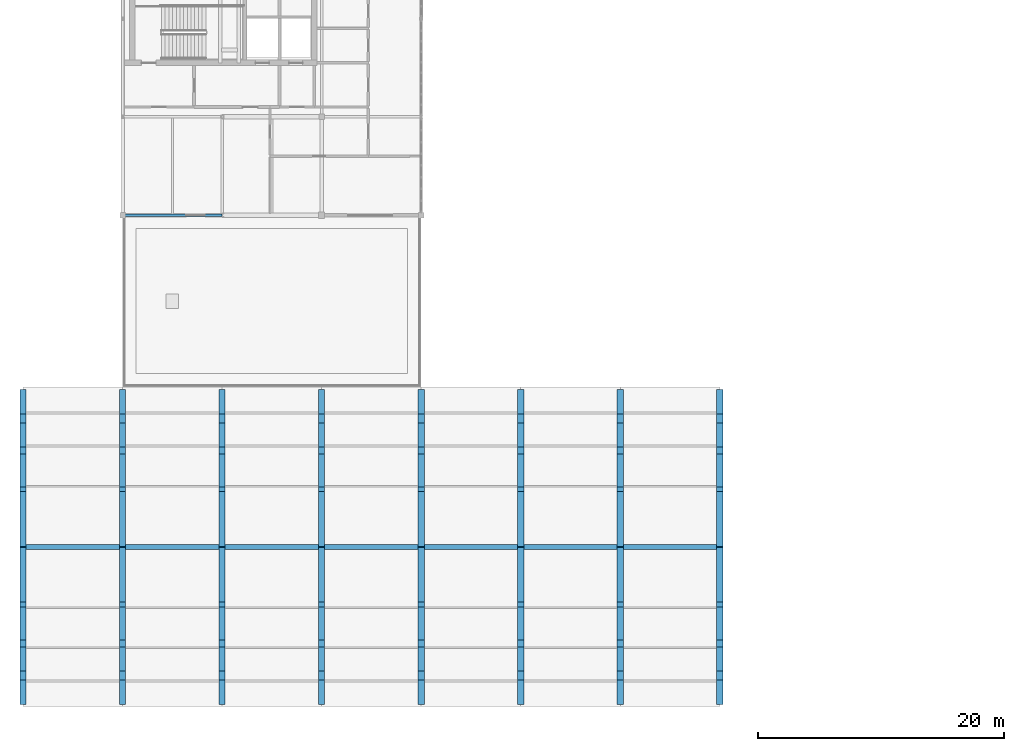
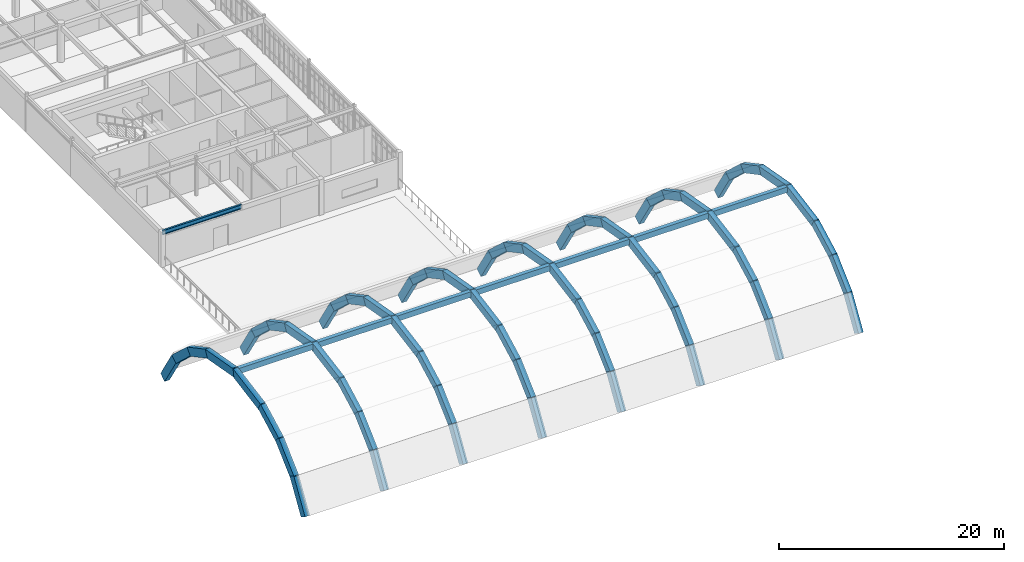
# One storey, part 6 of 36: 72 beams.
"""IFC4 building model written with IfcOpenShell, lengths in metres."""

from ifc_helpers import new_model, si_unit, direction, frame, origin, origin_2d, place, context, subcontext, project, spatial, rectangle, i_section, extrude, material, material_profile, profile_set, type_object, element, save


model = new_model("IFC4")

# Units and contexts
model_context = context("Model", 3, precision=1e-05, world=origin(), true_north=direction((0.0, 1.0)))
body_context = subcontext(model_context, "Body", "Model", "MODEL_VIEW")
ifc_project = project(units=[si_unit("LENGTHUNIT", "METRE"), si_unit("AREAUNIT", "SQUARE_METRE"), si_unit("VOLUMEUNIT", "CUBIC_METRE"), si_unit("PLANEANGLEUNIT", "RADIAN"), si_unit("MASSUNIT", "GRAM", prefix="KILO")], contexts=[model_context])

# Site, building, storey
site_placement = place(None, origin())
site = spatial("IfcSite", under=ifc_project, at=site_placement, CompositionType="ELEMENT")
building_placement = place(site_placement, origin())
building = spatial("IfcBuilding", under=site, at=building_placement, Name="Tarnveldt Square Police Headquarters", CompositionType="ELEMENT")
storey_placement = place(building_placement, frame((0.0, 0.0, 24.89990234375)))
storey = spatial("IfcBuildingStorey", under=building, at=storey_placement, Name="L05", CompositionType="ELEMENT", Elevation=24.89990234375)

# Beams
ifc_material_1 = material(Name="Concrete 40 MPa", Category="concrete")
ifc_material_profile_1 = material_profile(ifc_material_1, rectangle(XDim=0.39990234375, YDim=0.60009765625, at=origin_2d()), Name="RC-B400x600")
ifc_profile_set_1 = profile_set([ifc_material_profile_1], Name="Concrete 40 MPa")
beam_type_1 = type_object("IfcBeamType", Name="BM-RC400x600", PredefinedType="BEAM", material=ifc_profile_set_1)
beam_1_placement = place(storey_placement, frame((8.10009765625, 21.0, 7.830078125), z_axis=(1.0, 0.0, 0.0), x_axis=(0.0, 1.0, 0.0)))
element("IfcBeam", 1, at=beam_1_placement, inside=storey, type_object=beam_type_1, Name="Command and Control Room Barrel Vault Crown Ring Beam 1", PredefinedType="BEAM", context=body_context, shape_type="SweptSolid", body=[
    extrude(rectangle(XDim=0.39990234375, YDim=0.60009765625, at=origin_2d()), origin(), (0.0, 0.0, 1.0), 8.099853515625),
])
beam_2_placement = place(storey_placement, frame((16.199951171875, 21.0, 7.830078125), z_axis=(1.0, 0.0, 0.0), x_axis=(0.0, 1.0, 0.0)))
element("IfcBeam", 2, at=beam_2_placement, inside=storey, type_object=beam_type_1, Name="Command and Control Room Barrel Vault Crown Ring Beam 2", PredefinedType="BEAM", context=body_context, shape_type="SweptSolid", body=[
    extrude(rectangle(XDim=0.39990234375, YDim=0.60009765625, at=origin_2d()), origin(), (0.0, 0.0, 1.0), 8.10009765625),
])
beam_3_placement = place(storey_placement, frame((24.300048828125, 21.0, 7.830078125), z_axis=(1.0, 0.0, 0.0), x_axis=(0.0, 1.0, 0.0)))
element("IfcBeam", 3, at=beam_3_placement, inside=storey, type_object=beam_type_1, Name="Command and Control Room Barrel Vault Crown Ring Beam 3", PredefinedType="BEAM", context=body_context, shape_type="SweptSolid", body=[
    extrude(rectangle(XDim=0.39990234375, YDim=0.60009765625, at=origin_2d()), origin(), (0.0, 0.0, 1.0), 8.099853515625),
])
for number, where, z_axis, x_axis, name in (
    (4, (32.39990234375, 21.0, 7.830078125), (1.0, 0.0, 0.0), (0.0, 1.0, 0.0), "Command and Control Room Barrel Vault Crown Ring Beam 4"),
    (5, (40.5, 21.0, 7.830078125), (1.0, 0.0, 0.0), (0.0, 1.0, 0.0), "Command and Control Room Barrel Vault Crown Ring Beam 5"),
):
    element("IfcBeam", number, at=place(storey_placement, frame(where, z_axis=z_axis, x_axis=x_axis)), inside=storey, type_object=beam_type_1, Name=name, PredefinedType="BEAM", context=body_context, shape_type="SweptSolid", body=[
        extrude(rectangle(XDim=0.39990234375, YDim=0.60009765625, at=origin_2d()), origin(), (0.0, 0.0, 1.0), 8.10009765625),
    ])
beam_4_placement = place(storey_placement, frame((48.60009765625, 21.0, 7.830078125), z_axis=(1.0, 0.0, 0.0), x_axis=(0.0, 1.0, 0.0)))
element("IfcBeam", 6, at=beam_4_placement, inside=storey, type_object=beam_type_1, Name="Command and Control Room Barrel Vault Crown Ring Beam 6", PredefinedType="BEAM", context=body_context, shape_type="SweptSolid", body=[
    extrude(rectangle(XDim=0.39990234375, YDim=0.60009765625, at=origin_2d()), origin(), (0.0, 0.0, 1.0), 8.099853515625),
])
beam_5_placement = place(storey_placement, frame((56.699951171875, 21.0, 7.830078125), z_axis=(1.0, 0.0, 0.0), x_axis=(0.0, 1.0, 0.0)))
element("IfcBeam", 7, at=beam_5_placement, inside=storey, type_object=beam_type_1, Name="Command and Control Room Barrel Vault Crown Ring Beam 7", PredefinedType="BEAM", context=body_context, shape_type="SweptSolid", body=[
    extrude(rectangle(XDim=0.39990234375, YDim=0.60009765625, at=origin_2d()), origin(), (0.0, 0.0, 1.0), 8.10009765625),
])
ifc_material_profile_2 = material_profile(ifc_material_1, rectangle(XDim=0.5, YDim=0.85009765625, at=origin_2d()), Name="RC-RIB500x850")
ifc_profile_set_2 = profile_set([ifc_material_profile_2], Name="Concrete 40 MPa")
beam_type_2 = type_object("IfcBeamType", Name="BM-RIB500x850", PredefinedType="USERDEFINED", material=ifc_profile_set_2)
beam_6_placement = place(storey_placement, frame((8.10009765625, 8.539306640625, -0.335205078125), z_axis=(0.0, 0.528151879882, 0.849149923028), x_axis=(-1.0, 0.0, 0.0)))
element("IfcBeam", 8, at=beam_6_placement, inside=storey, type_object=beam_type_2, Name="Command and Control Room Exposed Arch Rib 1.1", ObjectType="ARCH RIB", PredefinedType="USERDEFINED", context=body_context, shape_type="SweptSolid", body=[
    extrude(rectangle(XDim=0.5, YDim=0.85009765625, at=origin_2d()), origin(), (0.0, 0.0, 1.0), 3.78076171875),
])
beam_7_placement = place(storey_placement, frame((8.10009765625, 10.43017578125, 2.746337890625), z_axis=(0.0, 0.731336551038, 0.682016751345), x_axis=(-1.0, 0.0, 0.0)))
element("IfcBeam", 9, at=beam_7_placement, inside=storey, type_object=beam_type_2, Name="Command and Control Room Exposed Arch Rib 1.2", ObjectType="ARCH RIB", PredefinedType="USERDEFINED", context=body_context, shape_type="SweptSolid", body=[
    extrude(rectangle(XDim=0.5, YDim=0.85009765625, at=origin_2d()), origin(), (0.0, 0.0, 1.0), 3.722412109375),
])
beam_8_placement = place(storey_placement, frame((8.10009765625, 13.017578125, 5.188720703125), z_axis=(0.0, 0.882931392206, 0.469502030514), x_axis=(-1.0, 0.0, 0.0)))
element("IfcBeam", 10, at=beam_8_placement, inside=storey, type_object=beam_type_2, Name="Command and Control Room Exposed Arch Rib 1.3", ObjectType="ARCH RIB", PredefinedType="USERDEFINED", context=body_context, shape_type="SweptSolid", body=[
    extrude(rectangle(XDim=0.5, YDim=0.85009765625, at=origin_2d()), origin(), (0.0, 0.0, 1.0), 3.72265625),
])
for number, where, z_axis, x_axis, name in (
    (11, (8.10009765625, 16.119140625, 6.872314453125), (0.0, 0.98404799655, 0.177903177279), (-1.0, 0.0, 0.0), "Command and Control Room Exposed Arch Rib 1.4"),
    (12, (8.10009765625, 20.886962890625, 7.775146484375), (0.0, 0.98404799655, -0.177903177279), (-1.0, 0.0, 0.0), "Command and Control Room Exposed Arch Rib 1.5"),
):
    element("IfcBeam", number, at=place(storey_placement, frame(where, z_axis=z_axis, x_axis=x_axis)), inside=storey, type_object=beam_type_2, Name=name, ObjectType="ARCH RIB", PredefinedType="USERDEFINED", context=body_context, shape_type="SweptSolid", body=[
        extrude(rectangle(XDim=0.5, YDim=0.85009765625, at=origin_2d()), origin(), (0.0, 0.0, 1.0), 5.074951171875),
    ])
beam_9_placement = place(storey_placement, frame((8.10009765625, 25.695556640625, 6.9365234375), z_axis=(0.0, 0.882931392206, -0.469502030514), x_axis=(-1.0, 0.0, 0.0)))
element("IfcBeam", 13, at=beam_9_placement, inside=storey, type_object=beam_type_2, Name="Command and Control Room Exposed Arch Rib 1.6", ObjectType="ARCH RIB", PredefinedType="USERDEFINED", context=body_context, shape_type="SweptSolid", body=[
    extrude(rectangle(XDim=0.5, YDim=0.85009765625, at=origin_2d()), origin(), (0.0, 0.0, 1.0), 3.72265625),
])
beam_10_placement = place(storey_placement, frame((8.10009765625, 28.847412109375, 5.28515625), z_axis=(0.0, 0.731336551038, -0.682016751345), x_axis=(-1.0, 0.0, 0.0)))
element("IfcBeam", 14, at=beam_10_placement, inside=storey, type_object=beam_type_2, Name="Command and Control Room Exposed Arch Rib 1.7", ObjectType="ARCH RIB", PredefinedType="USERDEFINED", context=body_context, shape_type="SweptSolid", body=[
    extrude(rectangle(XDim=0.5, YDim=0.85009765625, at=origin_2d()), origin(), (0.0, 0.0, 1.0), 3.722412109375),
])
for number, where, z_axis, x_axis, name in (
    (15, (8.10009765625, 31.4638671875, 2.875244140625), (0.0, 0.528151879882, -0.849149923028), (-1.0, 0.0, 0.0), "Command and Control Room Exposed Arch Rib 1.8"),
    (16, (16.199951171875, 8.539306640625, -0.335205078125), (0.0, 0.528151879882, 0.849149923028), (-1.0, 0.0, 0.0), "Command and Control Room Exposed Arch Rib 2.1"),
):
    element("IfcBeam", number, at=place(storey_placement, frame(where, z_axis=z_axis, x_axis=x_axis)), inside=storey, type_object=beam_type_2, Name=name, ObjectType="ARCH RIB", PredefinedType="USERDEFINED", context=body_context, shape_type="SweptSolid", body=[
        extrude(rectangle(XDim=0.5, YDim=0.85009765625, at=origin_2d()), origin(), (0.0, 0.0, 1.0), 3.78076171875),
    ])
beam_11_placement = place(storey_placement, frame((16.199951171875, 10.43017578125, 2.746337890625), z_axis=(0.0, 0.731336551038, 0.682016751345), x_axis=(-1.0, 0.0, 0.0)))
element("IfcBeam", 17, at=beam_11_placement, inside=storey, type_object=beam_type_2, Name="Command and Control Room Exposed Arch Rib 2.2", ObjectType="ARCH RIB", PredefinedType="USERDEFINED", context=body_context, shape_type="SweptSolid", body=[
    extrude(rectangle(XDim=0.5, YDim=0.85009765625, at=origin_2d()), origin(), (0.0, 0.0, 1.0), 3.722412109375),
])
beam_12_placement = place(storey_placement, frame((16.199951171875, 13.017578125, 5.188720703125), z_axis=(0.0, 0.882931392206, 0.469502030514), x_axis=(-1.0, 0.0, 0.0)))
element("IfcBeam", 18, at=beam_12_placement, inside=storey, type_object=beam_type_2, Name="Command and Control Room Exposed Arch Rib 2.3", ObjectType="ARCH RIB", PredefinedType="USERDEFINED", context=body_context, shape_type="SweptSolid", body=[
    extrude(rectangle(XDim=0.5, YDim=0.85009765625, at=origin_2d()), origin(), (0.0, 0.0, 1.0), 3.72265625),
])
for number, where, z_axis, x_axis, name in (
    (19, (16.199951171875, 16.119140625, 6.872314453125), (0.0, 0.98404799655, 0.177903177279), (-1.0, 0.0, 0.0), "Command and Control Room Exposed Arch Rib 2.4"),
    (20, (16.199951171875, 20.886962890625, 7.775146484375), (0.0, 0.98404799655, -0.177903177279), (-1.0, 0.0, 0.0), "Command and Control Room Exposed Arch Rib 2.5"),
):
    element("IfcBeam", number, at=place(storey_placement, frame(where, z_axis=z_axis, x_axis=x_axis)), inside=storey, type_object=beam_type_2, Name=name, ObjectType="ARCH RIB", PredefinedType="USERDEFINED", context=body_context, shape_type="SweptSolid", body=[
        extrude(rectangle(XDim=0.5, YDim=0.85009765625, at=origin_2d()), origin(), (0.0, 0.0, 1.0), 5.074951171875),
    ])
beam_13_placement = place(storey_placement, frame((16.199951171875, 25.695556640625, 6.9365234375), z_axis=(0.0, 0.882931392206, -0.469502030514), x_axis=(-1.0, 0.0, 0.0)))
element("IfcBeam", 21, at=beam_13_placement, inside=storey, type_object=beam_type_2, Name="Command and Control Room Exposed Arch Rib 2.6", ObjectType="ARCH RIB", PredefinedType="USERDEFINED", context=body_context, shape_type="SweptSolid", body=[
    extrude(rectangle(XDim=0.5, YDim=0.85009765625, at=origin_2d()), origin(), (0.0, 0.0, 1.0), 3.72265625),
])
beam_14_placement = place(storey_placement, frame((16.199951171875, 28.847412109375, 5.28515625), z_axis=(0.0, 0.731336551038, -0.682016751345), x_axis=(-1.0, 0.0, 0.0)))
element("IfcBeam", 22, at=beam_14_placement, inside=storey, type_object=beam_type_2, Name="Command and Control Room Exposed Arch Rib 2.7", ObjectType="ARCH RIB", PredefinedType="USERDEFINED", context=body_context, shape_type="SweptSolid", body=[
    extrude(rectangle(XDim=0.5, YDim=0.85009765625, at=origin_2d()), origin(), (0.0, 0.0, 1.0), 3.722412109375),
])
for number, where, z_axis, x_axis, name in (
    (23, (16.199951171875, 31.4638671875, 2.875244140625), (0.0, 0.528151879882, -0.849149923028), (-1.0, 0.0, 0.0), "Command and Control Room Exposed Arch Rib 2.8"),
    (24, (24.300048828125, 8.539306640625, -0.335205078125), (0.0, 0.528151879882, 0.849149923028), (-1.0, 0.0, 0.0), "Command and Control Room Exposed Arch Rib 3.1"),
):
    element("IfcBeam", number, at=place(storey_placement, frame(where, z_axis=z_axis, x_axis=x_axis)), inside=storey, type_object=beam_type_2, Name=name, ObjectType="ARCH RIB", PredefinedType="USERDEFINED", context=body_context, shape_type="SweptSolid", body=[
        extrude(rectangle(XDim=0.5, YDim=0.85009765625, at=origin_2d()), origin(), (0.0, 0.0, 1.0), 3.78076171875),
    ])
beam_15_placement = place(storey_placement, frame((24.300048828125, 10.43017578125, 2.746337890625), z_axis=(0.0, 0.731336551038, 0.682016751345), x_axis=(-1.0, 0.0, 0.0)))
element("IfcBeam", 25, at=beam_15_placement, inside=storey, type_object=beam_type_2, Name="Command and Control Room Exposed Arch Rib 3.2", ObjectType="ARCH RIB", PredefinedType="USERDEFINED", context=body_context, shape_type="SweptSolid", body=[
    extrude(rectangle(XDim=0.5, YDim=0.85009765625, at=origin_2d()), origin(), (0.0, 0.0, 1.0), 3.722412109375),
])
beam_16_placement = place(storey_placement, frame((24.300048828125, 13.017578125, 5.188720703125), z_axis=(0.0, 0.882931392206, 0.469502030514), x_axis=(-1.0, 0.0, 0.0)))
element("IfcBeam", 26, at=beam_16_placement, inside=storey, type_object=beam_type_2, Name="Command and Control Room Exposed Arch Rib 3.3", ObjectType="ARCH RIB", PredefinedType="USERDEFINED", context=body_context, shape_type="SweptSolid", body=[
    extrude(rectangle(XDim=0.5, YDim=0.85009765625, at=origin_2d()), origin(), (0.0, 0.0, 1.0), 3.72265625),
])
for number, where, z_axis, x_axis, name in (
    (27, (24.300048828125, 16.119140625, 6.872314453125), (0.0, 0.98404799655, 0.177903177279), (-1.0, 0.0, 0.0), "Command and Control Room Exposed Arch Rib 3.4"),
    (28, (24.300048828125, 20.886962890625, 7.775146484375), (0.0, 0.98404799655, -0.177903177279), (-1.0, 0.0, 0.0), "Command and Control Room Exposed Arch Rib 3.5"),
):
    element("IfcBeam", number, at=place(storey_placement, frame(where, z_axis=z_axis, x_axis=x_axis)), inside=storey, type_object=beam_type_2, Name=name, ObjectType="ARCH RIB", PredefinedType="USERDEFINED", context=body_context, shape_type="SweptSolid", body=[
        extrude(rectangle(XDim=0.5, YDim=0.85009765625, at=origin_2d()), origin(), (0.0, 0.0, 1.0), 5.074951171875),
    ])
beam_17_placement = place(storey_placement, frame((24.300048828125, 25.695556640625, 6.9365234375), z_axis=(0.0, 0.882931392206, -0.469502030514), x_axis=(-1.0, 0.0, 0.0)))
element("IfcBeam", 29, at=beam_17_placement, inside=storey, type_object=beam_type_2, Name="Command and Control Room Exposed Arch Rib 3.6", ObjectType="ARCH RIB", PredefinedType="USERDEFINED", context=body_context, shape_type="SweptSolid", body=[
    extrude(rectangle(XDim=0.5, YDim=0.85009765625, at=origin_2d()), origin(), (0.0, 0.0, 1.0), 3.72265625),
])
beam_18_placement = place(storey_placement, frame((24.300048828125, 28.847412109375, 5.28515625), z_axis=(0.0, 0.731336551038, -0.682016751345), x_axis=(-1.0, 0.0, 0.0)))
element("IfcBeam", 30, at=beam_18_placement, inside=storey, type_object=beam_type_2, Name="Command and Control Room Exposed Arch Rib 3.7", ObjectType="ARCH RIB", PredefinedType="USERDEFINED", context=body_context, shape_type="SweptSolid", body=[
    extrude(rectangle(XDim=0.5, YDim=0.85009765625, at=origin_2d()), origin(), (0.0, 0.0, 1.0), 3.722412109375),
])
for number, where, z_axis, x_axis, name in (
    (31, (24.300048828125, 31.4638671875, 2.875244140625), (0.0, 0.528151879882, -0.849149923028), (-1.0, 0.0, 0.0), "Command and Control Room Exposed Arch Rib 3.8"),
    (32, (32.39990234375, 8.539306640625, -0.335205078125), (0.0, 0.528151879882, 0.849149923028), (-1.0, 0.0, 0.0), "Command and Control Room Exposed Arch Rib 4.1"),
):
    element("IfcBeam", number, at=place(storey_placement, frame(where, z_axis=z_axis, x_axis=x_axis)), inside=storey, type_object=beam_type_2, Name=name, ObjectType="ARCH RIB", PredefinedType="USERDEFINED", context=body_context, shape_type="SweptSolid", body=[
        extrude(rectangle(XDim=0.5, YDim=0.85009765625, at=origin_2d()), origin(), (0.0, 0.0, 1.0), 3.78076171875),
    ])
beam_19_placement = place(storey_placement, frame((32.39990234375, 10.43017578125, 2.746337890625), z_axis=(0.0, 0.731336551038, 0.682016751345), x_axis=(-1.0, 0.0, 0.0)))
element("IfcBeam", 33, at=beam_19_placement, inside=storey, type_object=beam_type_2, Name="Command and Control Room Exposed Arch Rib 4.2", ObjectType="ARCH RIB", PredefinedType="USERDEFINED", context=body_context, shape_type="SweptSolid", body=[
    extrude(rectangle(XDim=0.5, YDim=0.85009765625, at=origin_2d()), origin(), (0.0, 0.0, 1.0), 3.722412109375),
])
beam_20_placement = place(storey_placement, frame((32.39990234375, 13.017578125, 5.188720703125), z_axis=(0.0, 0.882931392206, 0.469502030514), x_axis=(-1.0, 0.0, 0.0)))
element("IfcBeam", 34, at=beam_20_placement, inside=storey, type_object=beam_type_2, Name="Command and Control Room Exposed Arch Rib 4.3", ObjectType="ARCH RIB", PredefinedType="USERDEFINED", context=body_context, shape_type="SweptSolid", body=[
    extrude(rectangle(XDim=0.5, YDim=0.85009765625, at=origin_2d()), origin(), (0.0, 0.0, 1.0), 3.72265625),
])
for number, where, z_axis, x_axis, name in (
    (35, (32.39990234375, 16.119140625, 6.872314453125), (0.0, 0.98404799655, 0.177903177279), (-1.0, 0.0, 0.0), "Command and Control Room Exposed Arch Rib 4.4"),
    (36, (32.39990234375, 20.886962890625, 7.775146484375), (0.0, 0.98404799655, -0.177903177279), (-1.0, 0.0, 0.0), "Command and Control Room Exposed Arch Rib 4.5"),
):
    element("IfcBeam", number, at=place(storey_placement, frame(where, z_axis=z_axis, x_axis=x_axis)), inside=storey, type_object=beam_type_2, Name=name, ObjectType="ARCH RIB", PredefinedType="USERDEFINED", context=body_context, shape_type="SweptSolid", body=[
        extrude(rectangle(XDim=0.5, YDim=0.85009765625, at=origin_2d()), origin(), (0.0, 0.0, 1.0), 5.074951171875),
    ])
beam_21_placement = place(storey_placement, frame((32.39990234375, 25.695556640625, 6.9365234375), z_axis=(0.0, 0.882931392206, -0.469502030514), x_axis=(-1.0, 0.0, 0.0)))
element("IfcBeam", 37, at=beam_21_placement, inside=storey, type_object=beam_type_2, Name="Command and Control Room Exposed Arch Rib 4.6", ObjectType="ARCH RIB", PredefinedType="USERDEFINED", context=body_context, shape_type="SweptSolid", body=[
    extrude(rectangle(XDim=0.5, YDim=0.85009765625, at=origin_2d()), origin(), (0.0, 0.0, 1.0), 3.72265625),
])
beam_22_placement = place(storey_placement, frame((32.39990234375, 28.847412109375, 5.28515625), z_axis=(0.0, 0.731336551038, -0.682016751345), x_axis=(-1.0, 0.0, 0.0)))
element("IfcBeam", 38, at=beam_22_placement, inside=storey, type_object=beam_type_2, Name="Command and Control Room Exposed Arch Rib 4.7", ObjectType="ARCH RIB", PredefinedType="USERDEFINED", context=body_context, shape_type="SweptSolid", body=[
    extrude(rectangle(XDim=0.5, YDim=0.85009765625, at=origin_2d()), origin(), (0.0, 0.0, 1.0), 3.722412109375),
])
for number, where, z_axis, x_axis, name in (
    (39, (32.39990234375, 31.4638671875, 2.875244140625), (0.0, 0.528151879882, -0.849149923028), (-1.0, 0.0, 0.0), "Command and Control Room Exposed Arch Rib 4.8"),
    (40, (40.5, 8.539306640625, -0.335205078125), (0.0, 0.528151879882, 0.849149923028), (-1.0, 0.0, 0.0), "Command and Control Room Exposed Arch Rib 5.1"),
):
    element("IfcBeam", number, at=place(storey_placement, frame(where, z_axis=z_axis, x_axis=x_axis)), inside=storey, type_object=beam_type_2, Name=name, ObjectType="ARCH RIB", PredefinedType="USERDEFINED", context=body_context, shape_type="SweptSolid", body=[
        extrude(rectangle(XDim=0.5, YDim=0.85009765625, at=origin_2d()), origin(), (0.0, 0.0, 1.0), 3.78076171875),
    ])
beam_23_placement = place(storey_placement, frame((40.5, 10.43017578125, 2.746337890625), z_axis=(0.0, 0.731336551038, 0.682016751345), x_axis=(-1.0, 0.0, 0.0)))
element("IfcBeam", 41, at=beam_23_placement, inside=storey, type_object=beam_type_2, Name="Command and Control Room Exposed Arch Rib 5.2", ObjectType="ARCH RIB", PredefinedType="USERDEFINED", context=body_context, shape_type="SweptSolid", body=[
    extrude(rectangle(XDim=0.5, YDim=0.85009765625, at=origin_2d()), origin(), (0.0, 0.0, 1.0), 3.722412109375),
])
beam_24_placement = place(storey_placement, frame((40.5, 13.017578125, 5.188720703125), z_axis=(0.0, 0.882931392206, 0.469502030514), x_axis=(-1.0, 0.0, 0.0)))
element("IfcBeam", 42, at=beam_24_placement, inside=storey, type_object=beam_type_2, Name="Command and Control Room Exposed Arch Rib 5.3", ObjectType="ARCH RIB", PredefinedType="USERDEFINED", context=body_context, shape_type="SweptSolid", body=[
    extrude(rectangle(XDim=0.5, YDim=0.85009765625, at=origin_2d()), origin(), (0.0, 0.0, 1.0), 3.72265625),
])
for number, where, z_axis, x_axis, name in (
    (43, (40.5, 16.119140625, 6.872314453125), (0.0, 0.98404799655, 0.177903177279), (-1.0, 0.0, 0.0), "Command and Control Room Exposed Arch Rib 5.4"),
    (44, (40.5, 20.886962890625, 7.775146484375), (0.0, 0.98404799655, -0.177903177279), (-1.0, 0.0, 0.0), "Command and Control Room Exposed Arch Rib 5.5"),
):
    element("IfcBeam", number, at=place(storey_placement, frame(where, z_axis=z_axis, x_axis=x_axis)), inside=storey, type_object=beam_type_2, Name=name, ObjectType="ARCH RIB", PredefinedType="USERDEFINED", context=body_context, shape_type="SweptSolid", body=[
        extrude(rectangle(XDim=0.5, YDim=0.85009765625, at=origin_2d()), origin(), (0.0, 0.0, 1.0), 5.074951171875),
    ])
beam_25_placement = place(storey_placement, frame((40.5, 25.695556640625, 6.9365234375), z_axis=(0.0, 0.882931392206, -0.469502030514), x_axis=(-1.0, 0.0, 0.0)))
element("IfcBeam", 45, at=beam_25_placement, inside=storey, type_object=beam_type_2, Name="Command and Control Room Exposed Arch Rib 5.6", ObjectType="ARCH RIB", PredefinedType="USERDEFINED", context=body_context, shape_type="SweptSolid", body=[
    extrude(rectangle(XDim=0.5, YDim=0.85009765625, at=origin_2d()), origin(), (0.0, 0.0, 1.0), 3.72265625),
])
beam_26_placement = place(storey_placement, frame((40.5, 28.847412109375, 5.28515625), z_axis=(0.0, 0.731336551038, -0.682016751345), x_axis=(-1.0, 0.0, 0.0)))
element("IfcBeam", 46, at=beam_26_placement, inside=storey, type_object=beam_type_2, Name="Command and Control Room Exposed Arch Rib 5.7", ObjectType="ARCH RIB", PredefinedType="USERDEFINED", context=body_context, shape_type="SweptSolid", body=[
    extrude(rectangle(XDim=0.5, YDim=0.85009765625, at=origin_2d()), origin(), (0.0, 0.0, 1.0), 3.722412109375),
])
for number, where, z_axis, x_axis, name in (
    (47, (40.5, 31.4638671875, 2.875244140625), (0.0, 0.528151879882, -0.849149923028), (-1.0, 0.0, 0.0), "Command and Control Room Exposed Arch Rib 5.8"),
    (48, (48.60009765625, 8.539306640625, -0.335205078125), (0.0, 0.528151879882, 0.849149923028), (-1.0, 0.0, 0.0), "Command and Control Room Exposed Arch Rib 6.1"),
):
    element("IfcBeam", number, at=place(storey_placement, frame(where, z_axis=z_axis, x_axis=x_axis)), inside=storey, type_object=beam_type_2, Name=name, ObjectType="ARCH RIB", PredefinedType="USERDEFINED", context=body_context, shape_type="SweptSolid", body=[
        extrude(rectangle(XDim=0.5, YDim=0.85009765625, at=origin_2d()), origin(), (0.0, 0.0, 1.0), 3.78076171875),
    ])
beam_27_placement = place(storey_placement, frame((48.60009765625, 10.43017578125, 2.746337890625), z_axis=(0.0, 0.731336551038, 0.682016751345), x_axis=(-1.0, 0.0, 0.0)))
element("IfcBeam", 49, at=beam_27_placement, inside=storey, type_object=beam_type_2, Name="Command and Control Room Exposed Arch Rib 6.2", ObjectType="ARCH RIB", PredefinedType="USERDEFINED", context=body_context, shape_type="SweptSolid", body=[
    extrude(rectangle(XDim=0.5, YDim=0.85009765625, at=origin_2d()), origin(), (0.0, 0.0, 1.0), 3.722412109375),
])
beam_28_placement = place(storey_placement, frame((48.60009765625, 13.017578125, 5.188720703125), z_axis=(0.0, 0.882931392206, 0.469502030514), x_axis=(-1.0, 0.0, 0.0)))
element("IfcBeam", 50, at=beam_28_placement, inside=storey, type_object=beam_type_2, Name="Command and Control Room Exposed Arch Rib 6.3", ObjectType="ARCH RIB", PredefinedType="USERDEFINED", context=body_context, shape_type="SweptSolid", body=[
    extrude(rectangle(XDim=0.5, YDim=0.85009765625, at=origin_2d()), origin(), (0.0, 0.0, 1.0), 3.72265625),
])
for number, where, z_axis, x_axis, name in (
    (51, (48.60009765625, 16.119140625, 6.872314453125), (0.0, 0.98404799655, 0.177903177279), (-1.0, 0.0, 0.0), "Command and Control Room Exposed Arch Rib 6.4"),
    (52, (48.60009765625, 20.886962890625, 7.775146484375), (0.0, 0.98404799655, -0.177903177279), (-1.0, 0.0, 0.0), "Command and Control Room Exposed Arch Rib 6.5"),
):
    element("IfcBeam", number, at=place(storey_placement, frame(where, z_axis=z_axis, x_axis=x_axis)), inside=storey, type_object=beam_type_2, Name=name, ObjectType="ARCH RIB", PredefinedType="USERDEFINED", context=body_context, shape_type="SweptSolid", body=[
        extrude(rectangle(XDim=0.5, YDim=0.85009765625, at=origin_2d()), origin(), (0.0, 0.0, 1.0), 5.074951171875),
    ])
beam_29_placement = place(storey_placement, frame((48.60009765625, 25.695556640625, 6.9365234375), z_axis=(0.0, 0.882931392206, -0.469502030514), x_axis=(-1.0, 0.0, 0.0)))
element("IfcBeam", 53, at=beam_29_placement, inside=storey, type_object=beam_type_2, Name="Command and Control Room Exposed Arch Rib 6.6", ObjectType="ARCH RIB", PredefinedType="USERDEFINED", context=body_context, shape_type="SweptSolid", body=[
    extrude(rectangle(XDim=0.5, YDim=0.85009765625, at=origin_2d()), origin(), (0.0, 0.0, 1.0), 3.72265625),
])
beam_30_placement = place(storey_placement, frame((48.60009765625, 28.847412109375, 5.28515625), z_axis=(0.0, 0.731336551038, -0.682016751345), x_axis=(-1.0, 0.0, 0.0)))
element("IfcBeam", 54, at=beam_30_placement, inside=storey, type_object=beam_type_2, Name="Command and Control Room Exposed Arch Rib 6.7", ObjectType="ARCH RIB", PredefinedType="USERDEFINED", context=body_context, shape_type="SweptSolid", body=[
    extrude(rectangle(XDim=0.5, YDim=0.85009765625, at=origin_2d()), origin(), (0.0, 0.0, 1.0), 3.722412109375),
])
for number, where, z_axis, x_axis, name in (
    (55, (48.60009765625, 31.4638671875, 2.875244140625), (0.0, 0.528151879882, -0.849149923028), (-1.0, 0.0, 0.0), "Command and Control Room Exposed Arch Rib 6.8"),
    (56, (56.699951171875, 8.539306640625, -0.335205078125), (0.0, 0.528151879882, 0.849149923028), (-1.0, 0.0, 0.0), "Command and Control Room Exposed Arch Rib 7.1"),
):
    element("IfcBeam", number, at=place(storey_placement, frame(where, z_axis=z_axis, x_axis=x_axis)), inside=storey, type_object=beam_type_2, Name=name, ObjectType="ARCH RIB", PredefinedType="USERDEFINED", context=body_context, shape_type="SweptSolid", body=[
        extrude(rectangle(XDim=0.5, YDim=0.85009765625, at=origin_2d()), origin(), (0.0, 0.0, 1.0), 3.78076171875),
    ])
beam_31_placement = place(storey_placement, frame((56.699951171875, 10.43017578125, 2.746337890625), z_axis=(0.0, 0.731336551038, 0.682016751345), x_axis=(-1.0, 0.0, 0.0)))
element("IfcBeam", 57, at=beam_31_placement, inside=storey, type_object=beam_type_2, Name="Command and Control Room Exposed Arch Rib 7.2", ObjectType="ARCH RIB", PredefinedType="USERDEFINED", context=body_context, shape_type="SweptSolid", body=[
    extrude(rectangle(XDim=0.5, YDim=0.85009765625, at=origin_2d()), origin(), (0.0, 0.0, 1.0), 3.722412109375),
])
beam_32_placement = place(storey_placement, frame((56.699951171875, 13.017578125, 5.188720703125), z_axis=(0.0, 0.882931392206, 0.469502030514), x_axis=(-1.0, 0.0, 0.0)))
element("IfcBeam", 58, at=beam_32_placement, inside=storey, type_object=beam_type_2, Name="Command and Control Room Exposed Arch Rib 7.3", ObjectType="ARCH RIB", PredefinedType="USERDEFINED", context=body_context, shape_type="SweptSolid", body=[
    extrude(rectangle(XDim=0.5, YDim=0.85009765625, at=origin_2d()), origin(), (0.0, 0.0, 1.0), 3.72265625),
])
for number, where, z_axis, x_axis, name in (
    (59, (56.699951171875, 16.119140625, 6.872314453125), (0.0, 0.98404799655, 0.177903177279), (-1.0, 0.0, 0.0), "Command and Control Room Exposed Arch Rib 7.4"),
    (60, (56.699951171875, 20.886962890625, 7.775146484375), (0.0, 0.98404799655, -0.177903177279), (-1.0, 0.0, 0.0), "Command and Control Room Exposed Arch Rib 7.5"),
):
    element("IfcBeam", number, at=place(storey_placement, frame(where, z_axis=z_axis, x_axis=x_axis)), inside=storey, type_object=beam_type_2, Name=name, ObjectType="ARCH RIB", PredefinedType="USERDEFINED", context=body_context, shape_type="SweptSolid", body=[
        extrude(rectangle(XDim=0.5, YDim=0.85009765625, at=origin_2d()), origin(), (0.0, 0.0, 1.0), 5.074951171875),
    ])
beam_33_placement = place(storey_placement, frame((56.699951171875, 25.695556640625, 6.9365234375), z_axis=(0.0, 0.882931392206, -0.469502030514), x_axis=(-1.0, 0.0, 0.0)))
element("IfcBeam", 61, at=beam_33_placement, inside=storey, type_object=beam_type_2, Name="Command and Control Room Exposed Arch Rib 7.6", ObjectType="ARCH RIB", PredefinedType="USERDEFINED", context=body_context, shape_type="SweptSolid", body=[
    extrude(rectangle(XDim=0.5, YDim=0.85009765625, at=origin_2d()), origin(), (0.0, 0.0, 1.0), 3.72265625),
])
beam_34_placement = place(storey_placement, frame((56.699951171875, 28.847412109375, 5.28515625), z_axis=(0.0, 0.731336551038, -0.682016751345), x_axis=(-1.0, 0.0, 0.0)))
element("IfcBeam", 62, at=beam_34_placement, inside=storey, type_object=beam_type_2, Name="Command and Control Room Exposed Arch Rib 7.7", ObjectType="ARCH RIB", PredefinedType="USERDEFINED", context=body_context, shape_type="SweptSolid", body=[
    extrude(rectangle(XDim=0.5, YDim=0.85009765625, at=origin_2d()), origin(), (0.0, 0.0, 1.0), 3.722412109375),
])
for number, where, z_axis, x_axis, name in (
    (63, (56.699951171875, 31.4638671875, 2.875244140625), (0.0, 0.528151879882, -0.849149923028), (-1.0, 0.0, 0.0), "Command and Control Room Exposed Arch Rib 7.8"),
    (64, (64.800048828125, 8.539306640625, -0.335205078125), (0.0, 0.528151879882, 0.849149923028), (-1.0, 0.0, 0.0), "Command and Control Room Exposed Arch Rib 8.1"),
):
    element("IfcBeam", number, at=place(storey_placement, frame(where, z_axis=z_axis, x_axis=x_axis)), inside=storey, type_object=beam_type_2, Name=name, ObjectType="ARCH RIB", PredefinedType="USERDEFINED", context=body_context, shape_type="SweptSolid", body=[
        extrude(rectangle(XDim=0.5, YDim=0.85009765625, at=origin_2d()), origin(), (0.0, 0.0, 1.0), 3.78076171875),
    ])
beam_35_placement = place(storey_placement, frame((64.800048828125, 10.43017578125, 2.746337890625), z_axis=(0.0, 0.731336551038, 0.682016751345), x_axis=(-1.0, 0.0, 0.0)))
element("IfcBeam", 65, at=beam_35_placement, inside=storey, type_object=beam_type_2, Name="Command and Control Room Exposed Arch Rib 8.2", ObjectType="ARCH RIB", PredefinedType="USERDEFINED", context=body_context, shape_type="SweptSolid", body=[
    extrude(rectangle(XDim=0.5, YDim=0.85009765625, at=origin_2d()), origin(), (0.0, 0.0, 1.0), 3.722412109375),
])
beam_36_placement = place(storey_placement, frame((64.800048828125, 13.017578125, 5.188720703125), z_axis=(0.0, 0.882931392206, 0.469502030514), x_axis=(-1.0, 0.0, 0.0)))
element("IfcBeam", 66, at=beam_36_placement, inside=storey, type_object=beam_type_2, Name="Command and Control Room Exposed Arch Rib 8.3", ObjectType="ARCH RIB", PredefinedType="USERDEFINED", context=body_context, shape_type="SweptSolid", body=[
    extrude(rectangle(XDim=0.5, YDim=0.85009765625, at=origin_2d()), origin(), (0.0, 0.0, 1.0), 3.72265625),
])
for number, where, z_axis, x_axis, name in (
    (67, (64.800048828125, 16.119140625, 6.872314453125), (0.0, 0.98404799655, 0.177903177279), (-1.0, 0.0, 0.0), "Command and Control Room Exposed Arch Rib 8.4"),
    (68, (64.800048828125, 20.886962890625, 7.775146484375), (0.0, 0.98404799655, -0.177903177279), (-1.0, 0.0, 0.0), "Command and Control Room Exposed Arch Rib 8.5"),
):
    element("IfcBeam", number, at=place(storey_placement, frame(where, z_axis=z_axis, x_axis=x_axis)), inside=storey, type_object=beam_type_2, Name=name, ObjectType="ARCH RIB", PredefinedType="USERDEFINED", context=body_context, shape_type="SweptSolid", body=[
        extrude(rectangle(XDim=0.5, YDim=0.85009765625, at=origin_2d()), origin(), (0.0, 0.0, 1.0), 5.074951171875),
    ])
beam_37_placement = place(storey_placement, frame((64.800048828125, 25.695556640625, 6.9365234375), z_axis=(0.0, 0.882931392206, -0.469502030514), x_axis=(-1.0, 0.0, 0.0)))
element("IfcBeam", 69, at=beam_37_placement, inside=storey, type_object=beam_type_2, Name="Command and Control Room Exposed Arch Rib 8.6", ObjectType="ARCH RIB", PredefinedType="USERDEFINED", context=body_context, shape_type="SweptSolid", body=[
    extrude(rectangle(XDim=0.5, YDim=0.85009765625, at=origin_2d()), origin(), (0.0, 0.0, 1.0), 3.72265625),
])
beam_38_placement = place(storey_placement, frame((64.800048828125, 28.847412109375, 5.28515625), z_axis=(0.0, 0.731336551038, -0.682016751345), x_axis=(-1.0, 0.0, 0.0)))
element("IfcBeam", 70, at=beam_38_placement, inside=storey, type_object=beam_type_2, Name="Command and Control Room Exposed Arch Rib 8.7", ObjectType="ARCH RIB", PredefinedType="USERDEFINED", context=body_context, shape_type="SweptSolid", body=[
    extrude(rectangle(XDim=0.5, YDim=0.85009765625, at=origin_2d()), origin(), (0.0, 0.0, 1.0), 3.722412109375),
])
beam_39_placement = place(storey_placement, frame((64.800048828125, 31.4638671875, 2.875244140625), z_axis=(0.0, 0.528151879882, -0.849149923028), x_axis=(-1.0, 0.0, 0.0)))
element("IfcBeam", 71, at=beam_39_placement, inside=storey, type_object=beam_type_2, Name="Command and Control Room Exposed Arch Rib 8.8", ObjectType="ARCH RIB", PredefinedType="USERDEFINED", context=body_context, shape_type="SweptSolid", body=[
    extrude(rectangle(XDim=0.5, YDim=0.85009765625, at=origin_2d()), origin(), (0.0, 0.0, 1.0), 3.78076171875),
])
ifc_material_2 = material(Name="Steel 350W", Category="steel")
ifc_material_profile_3 = material_profile(ifc_material_2, i_section(OverallWidth=0.19189453125, OverallDepth=0.462890625, WebThickness=0.010498046875, FlangeThickness=0.017578125, FilletRadius=0.01806640625, at=origin_2d()), Name="W460x89")
ifc_profile_set_3 = profile_set([ifc_material_profile_3], Name="Steel 350W")
beam_type_3 = type_object("IfcBeamType", Name="BM-W460x89", PredefinedType="BEAM", material=ifc_profile_set_3)
beam_40_placement = place(storey_placement, frame((16.199951171875, 48.0, 3.628662109375), z_axis=(1.0, 0.0, 0.0), x_axis=(0.0, 1.0, 0.0)))
element("IfcBeam", 72, at=beam_40_placement, inside=storey, type_object=beam_type_3, Name="L06 Grid Girder X-1009", PredefinedType="BEAM", context=body_context, shape_type="SweptSolid", body=[
    extrude(i_section(OverallWidth=0.19189453125, OverallDepth=0.462890625, WebThickness=0.010498046875, FlangeThickness=0.017578125, FilletRadius=0.01806640625, at=origin_2d()), origin(), (0.0, 0.0, 1.0), 8.10009765625),
])

save(model, "model.ifc")
